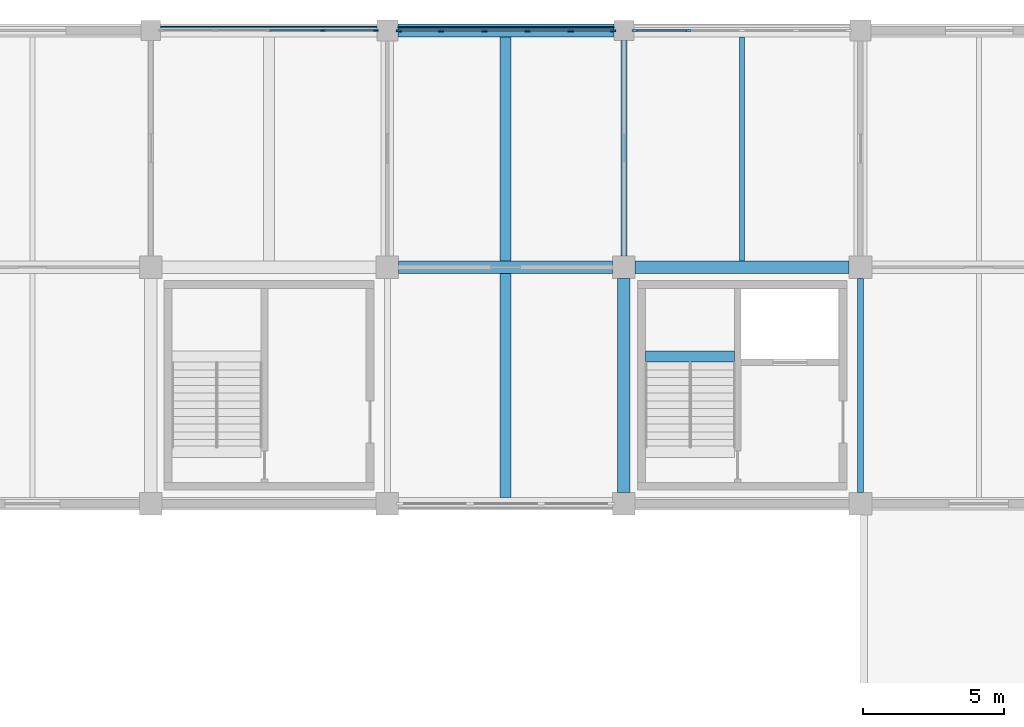
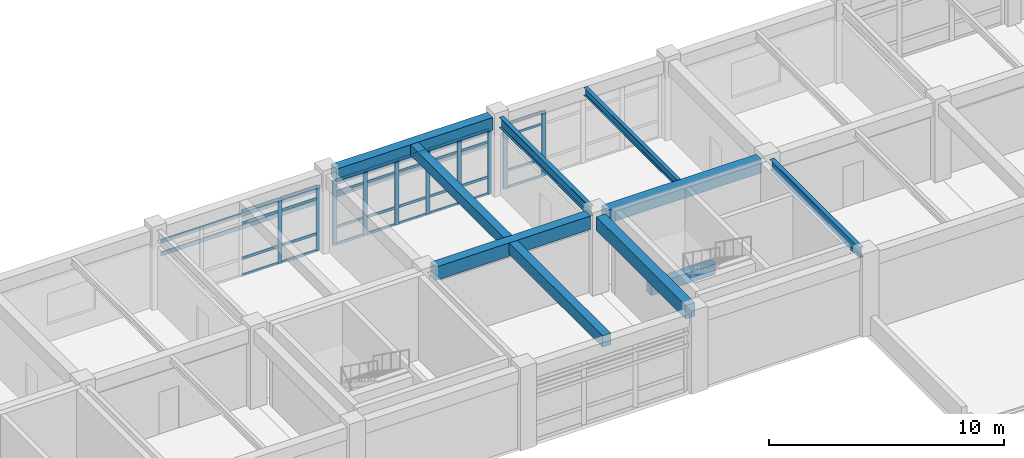
# One storey, part 38 of 74: 46 members, 10 beams, 3 elements without a shape of their own.
"""IFC4 building model written with IfcOpenShell, lengths in metres."""

from ifc_helpers import new_model, si_unit, direction, frame, origin, origin_2d, place, context, subcontext, project, spatial, rectangle, i_section, extrude, material, layer, layer_set, material_profile, profile_set, type_object, element, aggregate, save


model = new_model("IFC4")

# Units and contexts
model_context = context("Model", 3, precision=1e-05, world=origin(), true_north=direction((0.0, 1.0)))
body_context = subcontext(model_context, "Body", "Model", "MODEL_VIEW")
ifc_project = project(units=[si_unit("LENGTHUNIT", "METRE"), si_unit("AREAUNIT", "SQUARE_METRE"), si_unit("VOLUMEUNIT", "CUBIC_METRE"), si_unit("PLANEANGLEUNIT", "RADIAN"), si_unit("MASSUNIT", "GRAM", prefix="KILO")], contexts=[model_context])

# Site, building, storey
site_placement = place(None, origin())
site = spatial("IfcSite", under=ifc_project, at=site_placement, CompositionType="ELEMENT")
building_placement = place(site_placement, origin())
building = spatial("IfcBuilding", under=site, at=building_placement, Name="Porcellanite Civic Hall", CompositionType="ELEMENT")
storey_placement = place(building_placement, frame((0.0, 0.0, 14.760009765625)))
storey = spatial("IfcBuildingStorey", under=building, at=storey_placement, Name="L03", CompositionType="ELEMENT", Elevation=14.760009765625)

# Beams
ifc_material_1 = material(Name="Concrete N50 (50 MPa)", Category="concrete")
ifc_material_profile_1 = material_profile(ifc_material_1, rectangle(XDim=0.39990234375, YDim=0.550048828125, at=origin_2d()), Name="RC-400x550")
ifc_profile_set_1 = profile_set([ifc_material_profile_1], Name="Concrete N50 (50 MPa)")
beam_type_1 = type_object("IfcBeamType", Name="BM-RC550", PredefinedType="JOIST", material=ifc_profile_set_1)
beam_1_placement = place(storey_placement, frame((105.0, 109.424560546875, 3.794921875), z_axis=(0.0, 1.0, 0.0), x_axis=(-1.0, 0.0, 0.0)))
element("IfcBeam", 1, at=beam_1_placement, inside=storey, type_object=beam_type_1, Name="Secondary joist L03 13-14", PredefinedType="JOIST", context=body_context, shape_type="SweptSolid", body=[
    extrude(rectangle(XDim=0.39990234375, YDim=0.550048828125, at=origin_2d()), origin(), (0.0, 0.0, 1.0), 7.950927734375),
])
beam_2_placement = place(storey_placement, frame((109.96044921875, 106.02490234375, 1.705078125), z_axis=(1.0, 0.0, 0.0), x_axis=(0.0, 1.0, 0.0)))
element("IfcBeam", 2, at=beam_2_placement, inside=storey, type_object=beam_type_1, Name="Stair landing beam C4 L03", PredefinedType="JOIST", context=body_context, shape_type="SweptSolid", body=[
    extrude(rectangle(XDim=0.39990234375, YDim=0.550048828125, at=origin_2d()), origin(), (0.0, 0.0, 1.0), 3.158935546875),
])
ifc_material_2 = material(Name="Concrete N50 (50 MPa)", Category="concrete")
ifc_material_profile_2 = material_profile(ifc_material_2, rectangle(XDim=0.39990234375, YDim=0.60009765625, at=origin_2d()), Name="RC-400x600")
ifc_profile_set_2 = profile_set([ifc_material_profile_2], Name="Concrete N50 (50 MPa)")
beam_type_2 = type_object("IfcBeamType", Name="BM-RC600", PredefinedType="JOIST", material=ifc_profile_set_2)
beam_3_placement = place(storey_placement, frame((105.0, 101.0244140625, 3.77001953125), z_axis=(0.0, 1.0, 0.0), x_axis=(-1.0, 0.0, 0.0)))
element("IfcBeam", 3, at=beam_3_placement, inside=storey, type_object=beam_type_2, Name="Secondary joist L03 13-13", PredefinedType="JOIST", context=body_context, shape_type="SweptSolid", body=[
    extrude(rectangle(XDim=0.39990234375, YDim=0.60009765625, at=origin_2d()), origin(), (0.0, 0.0, 1.0), 7.951171875),
])
ifc_material_3 = material(Name="Concrete N50 (50 MPa)", Category="concrete")
ifc_material_profile_3 = material_profile(ifc_material_3, rectangle(XDim=0.449951171875, YDim=0.64990234375, at=origin_2d()), Name="RC-450x650")
ifc_profile_set_3 = profile_set([ifc_material_profile_3], Name="Concrete N50 (50 MPa)")
beam_type_3 = type_object("IfcBeamType", Name="BM-RC650", PredefinedType="SPANDREL", material=ifc_profile_set_3)
beam_4_placement = place(storey_placement, frame((101.174560546875, 117.60009765625, 3.744873046875), z_axis=(1.0, 0.0, 0.0), x_axis=(0.0, 1.0, 0.0)))
element("IfcBeam", 4, at=beam_4_placement, inside=storey, type_object=beam_type_3, Name="Beam X L03 13-15", PredefinedType="SPANDREL", context=body_context, shape_type="SweptSolid", body=[
    extrude(rectangle(XDim=0.449951171875, YDim=0.64990234375, at=origin_2d()), origin(), (0.0, 0.0, 1.0), 7.676025390625),
])
ifc_material_4 = material(Name="Concrete N50 (50 MPa)", Category="concrete")
ifc_material_profile_4 = material_profile(ifc_material_4, rectangle(XDim=0.449951171875, YDim=0.699951171875, at=origin_2d()), Name="RC-450x700")
ifc_profile_set_4 = profile_set([ifc_material_profile_4], Name="Concrete N50 (50 MPa)")
beam_type_4 = type_object("IfcBeamType", Name="BM-RC700", PredefinedType="BEAM", material=ifc_profile_set_4)
beam_5_placement = place(storey_placement, frame((101.199462890625, 109.199951171875, 3.719970703125), z_axis=(1.0, 0.0, 0.0), x_axis=(0.0, 1.0, 0.0)))
element("IfcBeam", 5, at=beam_5_placement, inside=storey, type_object=beam_type_4, Name="Beam X L03 13-14", PredefinedType="BEAM", context=body_context, shape_type="SweptSolid", body=[
    extrude(rectangle(XDim=0.449951171875, YDim=0.699951171875, at=origin_2d()), origin(), (0.0, 0.0, 1.0), 7.60107421875),
])
beam_6_placement = place(storey_placement, frame((109.599609375, 109.199951171875, 3.719970703125), z_axis=(1.0, 0.0, 0.0), x_axis=(0.0, 1.0, 0.0)))
element("IfcBeam", 6, at=beam_6_placement, inside=storey, type_object=beam_type_4, Name="Beam X L03 14-14", PredefinedType="BEAM", context=body_context, shape_type="SweptSolid", body=[
    extrude(rectangle(XDim=0.449951171875, YDim=0.699951171875, at=origin_2d()), origin(), (0.0, 0.0, 1.0), 7.600830078125),
])
beam_7_placement = place(storey_placement, frame((109.199951171875, 101.199462890625, 3.719970703125), z_axis=(0.0, 1.0, 0.0), x_axis=(-1.0, 0.0, 0.0)))
element("IfcBeam", 7, at=beam_7_placement, inside=storey, type_object=beam_type_4, Name="Beam Y L03 14-13", PredefinedType="BEAM", context=body_context, shape_type="SweptSolid", body=[
    extrude(rectangle(XDim=0.449951171875, YDim=0.699951171875, at=origin_2d()), origin(), (0.0, 0.0, 1.0), 7.60107421875),
])

# Curtain wall, members
ifc_material_5 = material(Name="Anodised aluminium and solar laminated glass", Category="aluminium")
ifc_layer_1 = layer(ifc_material_5, 0.179931640625)
ifc_layer_set_1 = layer_set([ifc_layer_1], Name="Anodised aluminium and solar laminated glass")
curtain_wall_type_1 = type_object("IfcCurtainWallType", Name="CW-SYS03", PredefinedType="NOTDEFINED", material=ifc_layer_set_1)
curtain_wall_1_placement = place(storey_placement, origin())
curtain_wall_1 = element("IfcCurtainWall", 8, at=curtain_wall_1_placement, inside=storey, type_object=curtain_wall_type_1, Name="Curtain wall CW-216", PredefinedType="NOTDEFINED")
ifc_material_6 = material(Name="Anodised aluminium 6063-T6", Category="aluminium")
ifc_material_profile_5 = material_profile(ifc_material_6, rectangle(XDim=0.080078125, YDim=0.2099609375, at=origin_2d()), Name="AL-80x210")
ifc_profile_set_5 = profile_set([ifc_material_profile_5], Name="Anodised aluminium 6063-T6")
member_type_1 = type_object("IfcMemberType", Name="CWM-02", PredefinedType="MULLION", material=ifc_profile_set_5)
member_1_placement = place(storey_placement, frame((109.591064453125, 117.60009765625, 0.0), z_axis=(0.0, 0.0, 1.0), x_axis=(0.0, 1.0, 0.0)))
member_1 = element("IfcMember", 9, at=member_1_placement, type_object=member_type_1, Name="CW-216 mullion 1", PredefinedType="MULLION", context=body_context, shape_type="SweptSolid", body=[
    extrude(rectangle(XDim=0.080078125, YDim=0.2099609375, at=origin_2d()), origin(), (0.0, 0.0, 1.0), 3.369873046875),
])
member_2_placement = place(storey_placement, frame((111.46923828125, 117.60009765625, 0.0), z_axis=(0.0, 0.0, 1.0), x_axis=(0.0, 1.0, 0.0)))
member_2 = element("IfcMember", 10, at=member_2_placement, type_object=member_type_1, Name="CW-216 mullion 2", PredefinedType="MULLION", context=body_context, shape_type="SweptSolid", body=[
    extrude(rectangle(XDim=0.080078125, YDim=0.2099609375, at=origin_2d()), origin(), (0.0, 0.0, 1.0), 3.369873046875),
])

ifc_material_7 = material(Name="Anodised aluminium and solar laminated glass", Category="aluminium")
ifc_layer_2 = layer(ifc_material_7, 0.179931640625)
ifc_layer_set_2 = layer_set([ifc_layer_2], Name="Anodised aluminium and solar laminated glass")
curtain_wall_type_2 = type_object("IfcCurtainWallType", Name="CW-SYS01", PredefinedType="NOTDEFINED", material=ifc_layer_set_2)
curtain_wall_2_placement = place(storey_placement, origin())
curtain_wall_2 = element("IfcCurtainWall", 11, at=curtain_wall_2_placement, inside=storey, type_object=curtain_wall_type_2, Name="Curtain wall CW-215", PredefinedType="NOTDEFINED")
ifc_material_8 = material(Name="Anodised aluminium 6063-T6", Category="aluminium")
ifc_material_profile_6 = material_profile(ifc_material_8, rectangle(XDim=0.070068359375, YDim=0.199951171875, at=origin_2d()), Name="AL-70x200")
ifc_profile_set_6 = profile_set([ifc_material_profile_6], Name="Anodised aluminium 6063-T6")
member_type_2 = type_object("IfcMemberType", Name="CWM-05", PredefinedType="MULLION", material=ifc_profile_set_6)
member_3_placement = place(storey_placement, frame((101.2109375, 117.60009765625, 0.0), z_axis=(0.0, 0.0, 1.0), x_axis=(0.0, 1.0, 0.0)))
member_3 = element("IfcMember", 12, at=member_3_placement, type_object=member_type_2, Name="CW-215 mullion 1", PredefinedType="MULLION", context=body_context, shape_type="SweptSolid", body=[
    extrude(rectangle(XDim=0.070068359375, YDim=0.199951171875, at=origin_2d()), origin(), (0.0, 0.0, 1.0), 3.369873046875),
])
member_4_placement = place(storey_placement, frame((102.710693359375, 117.60009765625, 0.0), z_axis=(0.0, 0.0, 1.0), x_axis=(0.0, 1.0, 0.0)))
member_4 = element("IfcMember", 13, at=member_4_placement, type_object=member_type_2, Name="CW-215 mullion 2", PredefinedType="MULLION", context=body_context, shape_type="SweptSolid", body=[
    extrude(rectangle(XDim=0.070068359375, YDim=0.199951171875, at=origin_2d()), origin(), (0.0, 0.0, 1.0), 3.369873046875),
])
member_5_placement = place(storey_placement, frame((104.2451171875, 117.60009765625, 0.0), z_axis=(0.0, 0.0, 1.0), x_axis=(0.0, 1.0, 0.0)))
member_5 = element("IfcMember", 14, at=member_5_placement, type_object=member_type_2, Name="CW-215 mullion 3", PredefinedType="MULLION", context=body_context, shape_type="SweptSolid", body=[
    extrude(rectangle(XDim=0.070068359375, YDim=0.199951171875, at=origin_2d()), origin(), (0.0, 0.0, 1.0), 3.369873046875),
])
member_6_placement = place(storey_placement, frame((105.77978515625, 117.60009765625, 0.0), z_axis=(0.0, 0.0, 1.0), x_axis=(0.0, 1.0, 0.0)))
member_6 = element("IfcMember", 15, at=member_6_placement, type_object=member_type_2, Name="CW-215 mullion 4", PredefinedType="MULLION", context=body_context, shape_type="SweptSolid", body=[
    extrude(rectangle(XDim=0.070068359375, YDim=0.199951171875, at=origin_2d()), origin(), (0.0, 0.0, 1.0), 3.369873046875),
])
member_7_placement = place(storey_placement, frame((107.314453125, 117.60009765625, 0.0), z_axis=(0.0, 0.0, 1.0), x_axis=(0.0, 1.0, 0.0)))
member_7 = element("IfcMember", 16, at=member_7_placement, type_object=member_type_2, Name="CW-215 mullion 5", PredefinedType="MULLION", context=body_context, shape_type="SweptSolid", body=[
    extrude(rectangle(XDim=0.070068359375, YDim=0.199951171875, at=origin_2d()), origin(), (0.0, 0.0, 1.0), 3.369873046875),
])
member_8_placement = place(storey_placement, frame((108.81396484375, 117.60009765625, 0.0), z_axis=(0.0, 0.0, 1.0), x_axis=(0.0, 1.0, 0.0)))
member_8 = element("IfcMember", 17, at=member_8_placement, type_object=member_type_2, Name="CW-215 mullion 6", PredefinedType="MULLION", context=body_context, shape_type="SweptSolid", body=[
    extrude(rectangle(XDim=0.070068359375, YDim=0.199951171875, at=origin_2d()), origin(), (0.0, 0.0, 1.0), 3.369873046875),
])

ifc_material_9 = material(Name="Anodised aluminium and solar laminated glass", Category="aluminium")
ifc_layer_3 = layer(ifc_material_9, 0.179931640625)
ifc_layer_set_3 = layer_set([ifc_layer_3], Name="Anodised aluminium and solar laminated glass")
curtain_wall_type_3 = type_object("IfcCurtainWallType", Name="CW-SYS06", PredefinedType="NOTDEFINED", material=ifc_layer_set_3)
curtain_wall_3_placement = place(storey_placement, origin())
curtain_wall_3 = element("IfcCurtainWall", 18, at=curtain_wall_3_placement, inside=storey, type_object=curtain_wall_type_3, Name="Curtain wall CW-212", PredefinedType="NOTDEFINED")
ifc_material_10 = material(Name="Anodised aluminium 6063-T6", Category="aluminium")
ifc_material_profile_7 = material_profile(ifc_material_10, rectangle(XDim=0.06494140625, YDim=0.179931640625, at=origin_2d()), Name="AL-65x180")
ifc_profile_set_7 = profile_set([ifc_material_profile_7], Name="Anodised aluminium 6063-T6")
member_type_3 = type_object("IfcMemberType", Name="CWM-06", PredefinedType="MULLION", material=ifc_profile_set_7)
member_9_placement = place(storey_placement, frame((98.505859375, 117.60009765625, 0.0), z_axis=(0.0, 0.0, 1.0), x_axis=(0.0, 1.0, 0.0)))
member_9 = element("IfcMember", 19, at=member_9_placement, type_object=member_type_3, Name="CW-212 mullion 4", PredefinedType="MULLION", context=body_context, shape_type="SweptSolid", body=[
    extrude(rectangle(XDim=0.06494140625, YDim=0.179931640625, at=origin_2d()), origin(), (0.0, 0.0, 1.0), 3.369873046875),
])
member_10_placement = place(storey_placement, frame((100.3916015625, 117.60009765625, 0.0), z_axis=(0.0, 0.0, 1.0), x_axis=(0.0, 1.0, 0.0)))
member_10 = element("IfcMember", 20, at=member_10_placement, type_object=member_type_3, Name="CW-212 mullion 5", PredefinedType="MULLION", context=body_context, shape_type="SweptSolid", body=[
    extrude(rectangle(XDim=0.06494140625, YDim=0.179931640625, at=origin_2d()), origin(), (0.0, 0.0, 1.0), 3.369873046875),
])

# Member
ifc_material_11 = material(Name="Anodised aluminium 6063-T6", Category="aluminium")
ifc_material_profile_8 = material_profile(ifc_material_11, rectangle(XDim=0.06005859375, YDim=0.1298828125, at=origin_2d()), Name="AL-60x130")
ifc_profile_set_8 = profile_set([ifc_material_profile_8], Name="Anodised aluminium 6063-T6")
member_type_4 = type_object("IfcMemberType", Name="CWT-03", PredefinedType="USERDEFINED", material=ifc_profile_set_8)
member_11_placement = place(storey_placement, frame((101.24609375, 117.60009765625, 0.030029296875), z_axis=(1.0, 0.0, 0.0), x_axis=(0.0, 1.0, 0.0)))
member_11 = element("IfcMember", 21, at=member_11_placement, type_object=member_type_4, Name="CW-215 transom 1.1", ObjectType="TRANSOM", PredefinedType="USERDEFINED", context=body_context, shape_type="SweptSolid", body=[
    extrude(rectangle(XDim=0.06005859375, YDim=0.1298828125, at=origin_2d()), origin(), (0.0, 0.0, 1.0), 1.429443359375),
])

member_12_placement = place(storey_placement, frame((101.24609375, 117.60009765625, 0.89990234375), z_axis=(1.0, 0.0, 0.0), x_axis=(0.0, 1.0, 0.0)))
member_12 = element("IfcMember", 22, at=member_12_placement, type_object=member_type_4, Name="CW-215 transom 1.2", ObjectType="TRANSOM", PredefinedType="USERDEFINED", context=body_context, shape_type="SweptSolid", body=[
    extrude(rectangle(XDim=0.06005859375, YDim=0.1298828125, at=origin_2d()), origin(), (0.0, 0.0, 1.0), 1.429443359375),
])

member_13_placement = place(storey_placement, frame((101.24609375, 117.60009765625, 2.719970703125), z_axis=(1.0, 0.0, 0.0), x_axis=(0.0, 1.0, 0.0)))
member_13 = element("IfcMember", 23, at=member_13_placement, type_object=member_type_4, Name="CW-215 transom 1.3", ObjectType="TRANSOM", PredefinedType="USERDEFINED", context=body_context, shape_type="SweptSolid", body=[
    extrude(rectangle(XDim=0.06005859375, YDim=0.1298828125, at=origin_2d()), origin(), (0.0, 0.0, 1.0), 1.429443359375),
])

member_14_placement = place(storey_placement, frame((101.24609375, 117.60009765625, 3.340087890625), z_axis=(1.0, 0.0, 0.0), x_axis=(0.0, 1.0, 0.0)))
member_14 = element("IfcMember", 24, at=member_14_placement, type_object=member_type_4, Name="CW-215 transom 1.4", ObjectType="TRANSOM", PredefinedType="USERDEFINED", context=body_context, shape_type="SweptSolid", body=[
    extrude(rectangle(XDim=0.06005859375, YDim=0.1298828125, at=origin_2d()), origin(), (0.0, 0.0, 1.0), 1.429443359375),
])

member_15_placement = place(storey_placement, frame((102.74560546875, 117.60009765625, 0.030029296875), z_axis=(1.0, 0.0, 0.0), x_axis=(0.0, 1.0, 0.0)))
member_15 = element("IfcMember", 25, at=member_15_placement, type_object=member_type_4, Name="CW-215 transom 2.1", ObjectType="TRANSOM", PredefinedType="USERDEFINED", context=body_context, shape_type="SweptSolid", body=[
    extrude(rectangle(XDim=0.06005859375, YDim=0.1298828125, at=origin_2d()), origin(), (0.0, 0.0, 1.0), 1.464599609375),
])

member_16_placement = place(storey_placement, frame((102.74560546875, 117.60009765625, 0.89990234375), z_axis=(1.0, 0.0, 0.0), x_axis=(0.0, 1.0, 0.0)))
member_16 = element("IfcMember", 26, at=member_16_placement, type_object=member_type_4, Name="CW-215 transom 2.2", ObjectType="TRANSOM", PredefinedType="USERDEFINED", context=body_context, shape_type="SweptSolid", body=[
    extrude(rectangle(XDim=0.06005859375, YDim=0.1298828125, at=origin_2d()), origin(), (0.0, 0.0, 1.0), 1.464599609375),
])

member_17_placement = place(storey_placement, frame((102.74560546875, 117.60009765625, 2.719970703125), z_axis=(1.0, 0.0, 0.0), x_axis=(0.0, 1.0, 0.0)))
member_17 = element("IfcMember", 27, at=member_17_placement, type_object=member_type_4, Name="CW-215 transom 2.3", ObjectType="TRANSOM", PredefinedType="USERDEFINED", context=body_context, shape_type="SweptSolid", body=[
    extrude(rectangle(XDim=0.06005859375, YDim=0.1298828125, at=origin_2d()), origin(), (0.0, 0.0, 1.0), 1.464599609375),
])

member_18_placement = place(storey_placement, frame((102.74560546875, 117.60009765625, 3.340087890625), z_axis=(1.0, 0.0, 0.0), x_axis=(0.0, 1.0, 0.0)))
member_18 = element("IfcMember", 28, at=member_18_placement, type_object=member_type_4, Name="CW-215 transom 2.4", ObjectType="TRANSOM", PredefinedType="USERDEFINED", context=body_context, shape_type="SweptSolid", body=[
    extrude(rectangle(XDim=0.06005859375, YDim=0.1298828125, at=origin_2d()), origin(), (0.0, 0.0, 1.0), 1.464599609375),
])

member_19_placement = place(storey_placement, frame((104.2802734375, 117.60009765625, 0.030029296875), z_axis=(1.0, 0.0, 0.0), x_axis=(0.0, 1.0, 0.0)))
member_19 = element("IfcMember", 29, at=member_19_placement, type_object=member_type_4, Name="CW-215 transom 3.1", ObjectType="TRANSOM", PredefinedType="USERDEFINED", context=body_context, shape_type="SweptSolid", body=[
    extrude(rectangle(XDim=0.06005859375, YDim=0.1298828125, at=origin_2d()), origin(), (0.0, 0.0, 1.0), 1.464599609375),
])

member_20_placement = place(storey_placement, frame((104.2802734375, 117.60009765625, 0.89990234375), z_axis=(1.0, 0.0, 0.0), x_axis=(0.0, 1.0, 0.0)))
member_20 = element("IfcMember", 30, at=member_20_placement, type_object=member_type_4, Name="CW-215 transom 3.2", ObjectType="TRANSOM", PredefinedType="USERDEFINED", context=body_context, shape_type="SweptSolid", body=[
    extrude(rectangle(XDim=0.06005859375, YDim=0.1298828125, at=origin_2d()), origin(), (0.0, 0.0, 1.0), 1.464599609375),
])

member_21_placement = place(storey_placement, frame((104.2802734375, 117.60009765625, 2.719970703125), z_axis=(1.0, 0.0, 0.0), x_axis=(0.0, 1.0, 0.0)))
member_21 = element("IfcMember", 31, at=member_21_placement, type_object=member_type_4, Name="CW-215 transom 3.3", ObjectType="TRANSOM", PredefinedType="USERDEFINED", context=body_context, shape_type="SweptSolid", body=[
    extrude(rectangle(XDim=0.06005859375, YDim=0.1298828125, at=origin_2d()), origin(), (0.0, 0.0, 1.0), 1.464599609375),
])

member_22_placement = place(storey_placement, frame((104.2802734375, 117.60009765625, 3.340087890625), z_axis=(1.0, 0.0, 0.0), x_axis=(0.0, 1.0, 0.0)))
member_22 = element("IfcMember", 32, at=member_22_placement, type_object=member_type_4, Name="CW-215 transom 3.4", ObjectType="TRANSOM", PredefinedType="USERDEFINED", context=body_context, shape_type="SweptSolid", body=[
    extrude(rectangle(XDim=0.06005859375, YDim=0.1298828125, at=origin_2d()), origin(), (0.0, 0.0, 1.0), 1.464599609375),
])

member_23_placement = place(storey_placement, frame((105.814697265625, 117.60009765625, 0.030029296875), z_axis=(1.0, 0.0, 0.0), x_axis=(0.0, 1.0, 0.0)))
member_23 = element("IfcMember", 33, at=member_23_placement, type_object=member_type_4, Name="CW-215 transom 4.1", ObjectType="TRANSOM", PredefinedType="USERDEFINED", context=body_context, shape_type="SweptSolid", body=[
    extrude(rectangle(XDim=0.06005859375, YDim=0.1298828125, at=origin_2d()), origin(), (0.0, 0.0, 1.0), 1.464599609375),
])

member_24_placement = place(storey_placement, frame((105.814697265625, 117.60009765625, 0.89990234375), z_axis=(1.0, 0.0, 0.0), x_axis=(0.0, 1.0, 0.0)))
member_24 = element("IfcMember", 34, at=member_24_placement, type_object=member_type_4, Name="CW-215 transom 4.2", ObjectType="TRANSOM", PredefinedType="USERDEFINED", context=body_context, shape_type="SweptSolid", body=[
    extrude(rectangle(XDim=0.06005859375, YDim=0.1298828125, at=origin_2d()), origin(), (0.0, 0.0, 1.0), 1.464599609375),
])

member_25_placement = place(storey_placement, frame((105.814697265625, 117.60009765625, 2.719970703125), z_axis=(1.0, 0.0, 0.0), x_axis=(0.0, 1.0, 0.0)))
member_25 = element("IfcMember", 35, at=member_25_placement, type_object=member_type_4, Name="CW-215 transom 4.3", ObjectType="TRANSOM", PredefinedType="USERDEFINED", context=body_context, shape_type="SweptSolid", body=[
    extrude(rectangle(XDim=0.06005859375, YDim=0.1298828125, at=origin_2d()), origin(), (0.0, 0.0, 1.0), 1.464599609375),
])

member_26_placement = place(storey_placement, frame((105.814697265625, 117.60009765625, 3.340087890625), z_axis=(1.0, 0.0, 0.0), x_axis=(0.0, 1.0, 0.0)))
member_26 = element("IfcMember", 36, at=member_26_placement, type_object=member_type_4, Name="CW-215 transom 4.4", ObjectType="TRANSOM", PredefinedType="USERDEFINED", context=body_context, shape_type="SweptSolid", body=[
    extrude(rectangle(XDim=0.06005859375, YDim=0.1298828125, at=origin_2d()), origin(), (0.0, 0.0, 1.0), 1.464599609375),
])

member_27_placement = place(storey_placement, frame((107.349365234375, 117.60009765625, 0.030029296875), z_axis=(1.0, 0.0, 0.0), x_axis=(0.0, 1.0, 0.0)))
member_27 = element("IfcMember", 37, at=member_27_placement, type_object=member_type_4, Name="CW-215 transom 5.1", ObjectType="TRANSOM", PredefinedType="USERDEFINED", context=body_context, shape_type="SweptSolid", body=[
    extrude(rectangle(XDim=0.06005859375, YDim=0.1298828125, at=origin_2d()), origin(), (0.0, 0.0, 1.0), 1.4296875),
])

member_28_placement = place(storey_placement, frame((107.349365234375, 117.60009765625, 0.89990234375), z_axis=(1.0, 0.0, 0.0), x_axis=(0.0, 1.0, 0.0)))
member_28 = element("IfcMember", 38, at=member_28_placement, type_object=member_type_4, Name="CW-215 transom 5.2", ObjectType="TRANSOM", PredefinedType="USERDEFINED", context=body_context, shape_type="SweptSolid", body=[
    extrude(rectangle(XDim=0.06005859375, YDim=0.1298828125, at=origin_2d()), origin(), (0.0, 0.0, 1.0), 1.4296875),
])

member_29_placement = place(storey_placement, frame((107.349365234375, 117.60009765625, 2.719970703125), z_axis=(1.0, 0.0, 0.0), x_axis=(0.0, 1.0, 0.0)))
member_29 = element("IfcMember", 39, at=member_29_placement, type_object=member_type_4, Name="CW-215 transom 5.3", ObjectType="TRANSOM", PredefinedType="USERDEFINED", context=body_context, shape_type="SweptSolid", body=[
    extrude(rectangle(XDim=0.06005859375, YDim=0.1298828125, at=origin_2d()), origin(), (0.0, 0.0, 1.0), 1.4296875),
])

member_30_placement = place(storey_placement, frame((107.349365234375, 117.60009765625, 3.340087890625), z_axis=(1.0, 0.0, 0.0), x_axis=(0.0, 1.0, 0.0)))
member_30 = element("IfcMember", 40, at=member_30_placement, type_object=member_type_4, Name="CW-215 transom 5.4", ObjectType="TRANSOM", PredefinedType="USERDEFINED", context=body_context, shape_type="SweptSolid", body=[
    extrude(rectangle(XDim=0.06005859375, YDim=0.1298828125, at=origin_2d()), origin(), (0.0, 0.0, 1.0), 1.4296875),
])

aggregate(curtain_wall_2, [member_3, member_4, member_5, member_6, member_7, member_8, member_11, member_12, member_13, member_14, member_15, member_16, member_17, member_18, member_19, member_20, member_21, member_22, member_23, member_24, member_25, member_26, member_27, member_28, member_29, member_30])

ifc_material_12 = material(Name="Anodised aluminium 6063-T6", Category="aluminium")
ifc_material_profile_9 = material_profile(ifc_material_12, rectangle(XDim=0.054931640625, YDim=0.1201171875, at=origin_2d()), Name="AL-55x120")
ifc_profile_set_9 = profile_set([ifc_material_profile_9], Name="Anodised aluminium 6063-T6")
member_type_5 = type_object("IfcMemberType", Name="CWT-04", PredefinedType="USERDEFINED", material=ifc_profile_set_9)
member_31_placement = place(storey_placement, frame((109.631103515625, 117.60009765625, 0.027587890625), z_axis=(1.0, 0.0, 0.0), x_axis=(0.0, 1.0, 0.0)))
member_31 = element("IfcMember", 41, at=member_31_placement, type_object=member_type_5, Name="CW-216 transom 1.1", ObjectType="TRANSOM", PredefinedType="USERDEFINED", context=body_context, shape_type="SweptSolid", body=[
    extrude(rectangle(XDim=0.054931640625, YDim=0.1201171875, at=origin_2d()), origin(), (0.0, 0.0, 1.0), 1.798095703125),
])

member_32_placement = place(storey_placement, frame((109.631103515625, 117.60009765625, 0.89990234375), z_axis=(1.0, 0.0, 0.0), x_axis=(0.0, 1.0, 0.0)))
member_32 = element("IfcMember", 42, at=member_32_placement, type_object=member_type_5, Name="CW-216 transom 1.2", ObjectType="TRANSOM", PredefinedType="USERDEFINED", context=body_context, shape_type="SweptSolid", body=[
    extrude(rectangle(XDim=0.054931640625, YDim=0.1201171875, at=origin_2d()), origin(), (0.0, 0.0, 1.0), 1.798095703125),
])

member_33_placement = place(storey_placement, frame((109.631103515625, 117.60009765625, 2.719970703125), z_axis=(1.0, 0.0, 0.0), x_axis=(0.0, 1.0, 0.0)))
member_33 = element("IfcMember", 43, at=member_33_placement, type_object=member_type_5, Name="CW-216 transom 1.3", ObjectType="TRANSOM", PredefinedType="USERDEFINED", context=body_context, shape_type="SweptSolid", body=[
    extrude(rectangle(XDim=0.054931640625, YDim=0.1201171875, at=origin_2d()), origin(), (0.0, 0.0, 1.0), 1.798095703125),
])

member_34_placement = place(storey_placement, frame((109.631103515625, 117.60009765625, 3.342529296875), z_axis=(1.0, 0.0, 0.0), x_axis=(0.0, 1.0, 0.0)))
member_34 = element("IfcMember", 44, at=member_34_placement, type_object=member_type_5, Name="CW-216 transom 1.4", ObjectType="TRANSOM", PredefinedType="USERDEFINED", context=body_context, shape_type="SweptSolid", body=[
    extrude(rectangle(XDim=0.054931640625, YDim=0.1201171875, at=origin_2d()), origin(), (0.0, 0.0, 1.0), 1.798095703125),
])

aggregate(curtain_wall_1, [member_1, member_2, member_31, member_32, member_33, member_34])

ifc_material_13 = material(Name="Anodised aluminium 6063-T6", Category="aluminium")
ifc_material_profile_10 = material_profile(ifc_material_13, rectangle(XDim=0.050048828125, YDim=0.139892578125, at=origin_2d()), Name="AL-50x140")
ifc_profile_set_10 = profile_set([ifc_material_profile_10], Name="Anodised aluminium 6063-T6")
member_type_6 = type_object("IfcMemberType", Name="CWT-06", PredefinedType="USERDEFINED", material=ifc_profile_set_10)
member_35_placement = place(storey_placement, frame((96.6201171875, 117.60009765625, 0.02490234375), z_axis=(1.0, 0.0, 0.0), x_axis=(0.0, 1.0, 0.0)))
member_35 = element("IfcMember", 45, at=member_35_placement, type_object=member_type_6, Name="CW-212 transom 3.1", ObjectType="TRANSOM", PredefinedType="USERDEFINED", context=body_context, shape_type="SweptSolid", body=[
    extrude(rectangle(XDim=0.050048828125, YDim=0.139892578125, at=origin_2d()), origin(), (0.0, 0.0, 1.0), 1.85302734375),
])

member_36_placement = place(storey_placement, frame((96.6201171875, 117.60009765625, 0.89990234375), z_axis=(1.0, 0.0, 0.0), x_axis=(0.0, 1.0, 0.0)))
member_36 = element("IfcMember", 46, at=member_36_placement, type_object=member_type_6, Name="CW-212 transom 3.2", ObjectType="TRANSOM", PredefinedType="USERDEFINED", context=body_context, shape_type="SweptSolid", body=[
    extrude(rectangle(XDim=0.050048828125, YDim=0.139892578125, at=origin_2d()), origin(), (0.0, 0.0, 1.0), 1.85302734375),
])

member_37_placement = place(storey_placement, frame((96.6201171875, 117.60009765625, 2.719970703125), z_axis=(1.0, 0.0, 0.0), x_axis=(0.0, 1.0, 0.0)))
member_37 = element("IfcMember", 47, at=member_37_placement, type_object=member_type_6, Name="CW-212 transom 3.3", ObjectType="TRANSOM", PredefinedType="USERDEFINED", context=body_context, shape_type="SweptSolid", body=[
    extrude(rectangle(XDim=0.050048828125, YDim=0.139892578125, at=origin_2d()), origin(), (0.0, 0.0, 1.0), 1.85302734375),
])

member_38_placement = place(storey_placement, frame((96.6201171875, 117.60009765625, 3.344970703125), z_axis=(1.0, 0.0, 0.0), x_axis=(0.0, 1.0, 0.0)))
member_38 = element("IfcMember", 48, at=member_38_placement, type_object=member_type_6, Name="CW-212 transom 3.4", ObjectType="TRANSOM", PredefinedType="USERDEFINED", context=body_context, shape_type="SweptSolid", body=[
    extrude(rectangle(XDim=0.050048828125, YDim=0.139892578125, at=origin_2d()), origin(), (0.0, 0.0, 1.0), 1.85302734375),
])

member_39_placement = place(storey_placement, frame((98.538330078125, 117.60009765625, 0.02490234375), z_axis=(1.0, 0.0, 0.0), x_axis=(0.0, 1.0, 0.0)))
member_39 = element("IfcMember", 49, at=member_39_placement, type_object=member_type_6, Name="CW-212 transom 4.1", ObjectType="TRANSOM", PredefinedType="USERDEFINED", context=body_context, shape_type="SweptSolid", body=[
    extrude(rectangle(XDim=0.050048828125, YDim=0.139892578125, at=origin_2d()), origin(), (0.0, 0.0, 1.0), 1.820556640625),
])

member_40_placement = place(storey_placement, frame((98.538330078125, 117.60009765625, 0.89990234375), z_axis=(1.0, 0.0, 0.0), x_axis=(0.0, 1.0, 0.0)))
member_40 = element("IfcMember", 50, at=member_40_placement, type_object=member_type_6, Name="CW-212 transom 4.2", ObjectType="TRANSOM", PredefinedType="USERDEFINED", context=body_context, shape_type="SweptSolid", body=[
    extrude(rectangle(XDim=0.050048828125, YDim=0.139892578125, at=origin_2d()), origin(), (0.0, 0.0, 1.0), 1.820556640625),
])

member_41_placement = place(storey_placement, frame((98.538330078125, 117.60009765625, 2.719970703125), z_axis=(1.0, 0.0, 0.0), x_axis=(0.0, 1.0, 0.0)))
member_41 = element("IfcMember", 51, at=member_41_placement, type_object=member_type_6, Name="CW-212 transom 4.3", ObjectType="TRANSOM", PredefinedType="USERDEFINED", context=body_context, shape_type="SweptSolid", body=[
    extrude(rectangle(XDim=0.050048828125, YDim=0.139892578125, at=origin_2d()), origin(), (0.0, 0.0, 1.0), 1.820556640625),
])

member_42_placement = place(storey_placement, frame((98.538330078125, 117.60009765625, 3.344970703125), z_axis=(1.0, 0.0, 0.0), x_axis=(0.0, 1.0, 0.0)))
member_42 = element("IfcMember", 52, at=member_42_placement, type_object=member_type_6, Name="CW-212 transom 4.4", ObjectType="TRANSOM", PredefinedType="USERDEFINED", context=body_context, shape_type="SweptSolid", body=[
    extrude(rectangle(XDim=0.050048828125, YDim=0.139892578125, at=origin_2d()), origin(), (0.0, 0.0, 1.0), 1.820556640625),
])

aggregate(curtain_wall_3, [member_9, member_10, member_35, member_36, member_37, member_38, member_39, member_40, member_41, member_42])

# Beam
ifc_material_14 = material(Name="Steel Grade 350", Category="steel")
ifc_material_profile_11 = material_profile(ifc_material_14, i_section(OverallWidth=0.177978515625, OverallDepth=0.406005859375, WebThickness=0.0078125, FlangeThickness=0.0126953125, FilletRadius=0.011474609375, at=origin_2d()), Name="410UB59.7")
ifc_profile_set_11 = profile_set([ifc_material_profile_11], Name="Steel Grade 350")
beam_type_5 = type_object("IfcBeamType", Name="JST-410UB60", PredefinedType="JOIST", material=ifc_profile_set_11)
beam_8_placement = place(storey_placement, frame((113.39990234375, 109.424560546875, 3.866943359375), z_axis=(0.0, 1.0, 0.0), x_axis=(-1.0, 0.0, 0.0)))
element("IfcBeam", 53, at=beam_8_placement, inside=storey, type_object=beam_type_5, Name="Secondary joist L03 14-14", PredefinedType="JOIST", context=body_context, shape_type="SweptSolid", body=[
    extrude(i_section(OverallWidth=0.177978515625, OverallDepth=0.406005859375, WebThickness=0.0078125, FlangeThickness=0.0126953125, FilletRadius=0.011474609375, at=origin_2d()), origin(), (0.0, 0.0, 1.0), 7.950927734375),
])

# Members
ifc_material_15 = material(Name="Fluoropolymer bauxite-red aluminium 6063-T6", Category="aluminium")
ifc_material_profile_12 = material_profile(ifc_material_15, rectangle(XDim=0.054931640625, YDim=0.199951171875, at=origin_2d()), Name="AL-55x200")
ifc_profile_set_12 = profile_set([ifc_material_profile_12], Name="Fluoropolymer bauxite-red aluminium 6063-T6")
member_type_7 = type_object("IfcMemberType", Name="LV-BLD09", PredefinedType="USERDEFINED", material=ifc_profile_set_12)
for number, where, z_axis, x_axis, name in (
    (54, (92.74951171875, 117.719482421875, 3.070068359375), (1.0, 0.0, 0.0), (0.0, 1.0, 0.0), "Cyclone sunshade louvre L03 N 11-13 1"),
    (55, (92.74951171875, 117.719482421875, 2.419921875), (1.0, 0.0, 0.0), (0.0, 1.0, 0.0), "Cyclone sunshade louvre L03 N 11-13 2"),
):
    element("IfcMember", number, at=place(storey_placement, frame(where, z_axis=z_axis, x_axis=x_axis)), inside=storey, type_object=member_type_7, Name=name, ObjectType="LOUVRE BLADE", PredefinedType="USERDEFINED", context=body_context, shape_type="SweptSolid", body=[
        extrude(rectangle(XDim=0.054931640625, YDim=0.199951171875, at=origin_2d()), origin(), (0.0, 0.0, 1.0), 7.676025390625),
    ])
ifc_material_16 = material(Name="Fluoropolymer bauxite-red aluminium 6063-T6", Category="aluminium")
ifc_material_profile_13 = material_profile(ifc_material_16, rectangle(XDim=0.0400390625, YDim=0.139892578125, at=origin_2d()), Name="AL-40x140")
ifc_profile_set_13 = profile_set([ifc_material_profile_13], Name="Fluoropolymer bauxite-red aluminium 6063-T6")
member_type_8 = type_object("IfcMemberType", Name="LV-BLD12", PredefinedType="USERDEFINED", material=ifc_profile_set_13)
for number, where, z_axis, x_axis, name in (
    (56, (101.174560546875, 117.721923828125, 3.070068359375), (1.0, 0.0, 0.0), (0.0, 1.0, 0.0), "Cyclone sunshade louvre L03 N 12-13 1"),
    (57, (101.174560546875, 117.721923828125, 2.419921875), (1.0, 0.0, 0.0), (0.0, 1.0, 0.0), "Cyclone sunshade louvre L03 N 12-13 2"),
):
    element("IfcMember", number, at=place(storey_placement, frame(where, z_axis=z_axis, x_axis=x_axis)), inside=storey, type_object=member_type_8, Name=name, ObjectType="LOUVRE BLADE", PredefinedType="USERDEFINED", context=body_context, shape_type="SweptSolid", body=[
        extrude(rectangle(XDim=0.0400390625, YDim=0.139892578125, at=origin_2d()), origin(), (0.0, 0.0, 1.0), 7.676025390625),
    ])

# Beams
ifc_material_17 = material(Name="Steel Grade 350", Category="steel")
ifc_material_profile_14 = material_profile(ifc_material_17, i_section(OverallWidth=0.208984375, OverallDepth=0.528076171875, WebThickness=0.009521484375, FlangeThickness=0.01318359375, FilletRadius=0.013916015625, at=origin_2d()), Name="530UB82.0")
ifc_profile_set_14 = profile_set([ifc_material_profile_14], Name="Steel Grade 350")
beam_type_6 = type_object("IfcBeamType", Name="RAF-530UB82", PredefinedType="BEAM", material=ifc_profile_set_14)
beam_9_placement = place(storey_placement, frame((109.199951171875, 109.599609375, 3.805908203125), z_axis=(0.0, 1.0, 0.0), x_axis=(-1.0, 0.0, 0.0)))
element("IfcBeam", 58, at=beam_9_placement, inside=storey, type_object=beam_type_6, Name="Beam Y L03 14-14", PredefinedType="BEAM", context=body_context, shape_type="SweptSolid", body=[
    extrude(i_section(OverallWidth=0.208984375, OverallDepth=0.528076171875, WebThickness=0.009521484375, FlangeThickness=0.01318359375, FilletRadius=0.013916015625, at=origin_2d()), origin(), (0.0, 0.0, 1.0), 7.65087890625),
])
beam_10_placement = place(storey_placement, frame((117.60009765625, 101.199462890625, 3.805908203125), z_axis=(0.0, 1.0, 0.0), x_axis=(-1.0, 0.0, 0.0)))
element("IfcBeam", 59, at=beam_10_placement, inside=storey, type_object=beam_type_6, Name="Beam Y L03 15-13", PredefinedType="BEAM", context=body_context, shape_type="SweptSolid", body=[
    extrude(i_section(OverallWidth=0.208984375, OverallDepth=0.528076171875, WebThickness=0.009521484375, FlangeThickness=0.01318359375, FilletRadius=0.013916015625, at=origin_2d()), origin(), (0.0, 0.0, 1.0), 7.60107421875),
])

save(model, "model.ifc")
